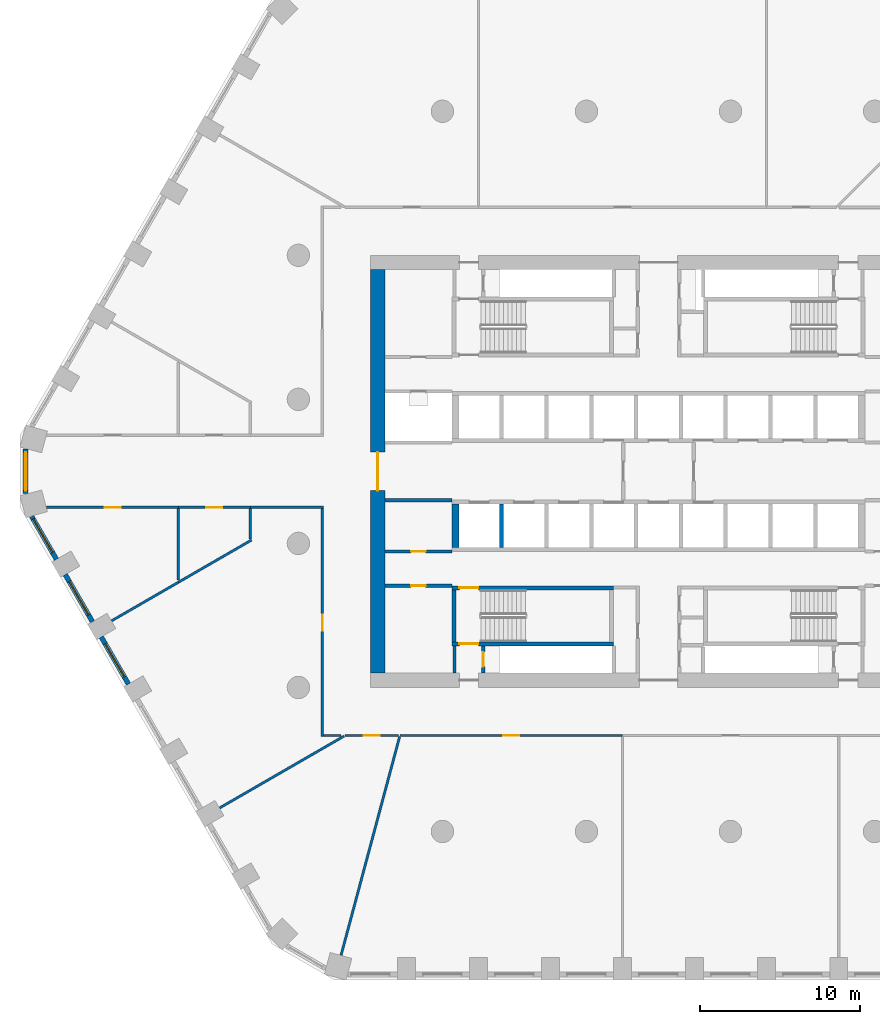
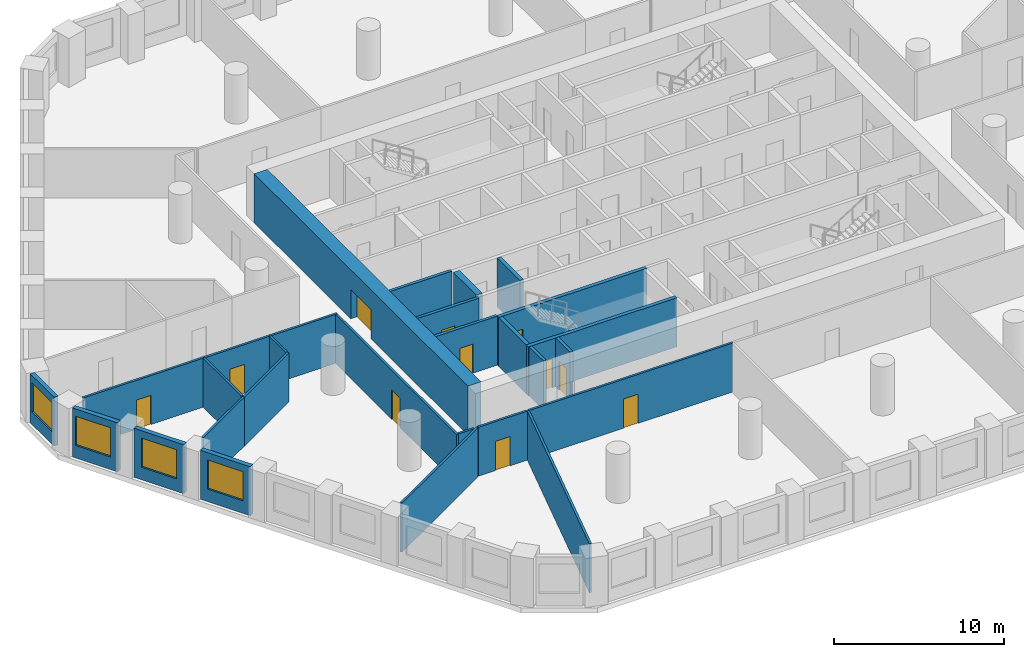
# One storey, part 2 of 10: 28 walls, 11 doors, 4 windows, 15 openings.
"""IFC4 building model written with IfcOpenShell, lengths in metres."""

import ifcopenshell
import ifcopenshell.guid

model = None  # the IFC model being written
_history = None  # IfcOwnerHistory: only IFC2X3 demands one
_inside = {}  # id of a spatial element -> (the spatial element, [elements in it])
_under = {}  # id of a project, library or spatial element -> (it, [spatial elements below it])
_declared = {}  # id of a project -> (the project, [libraries it declares])
_typed = {}  # id of a type object -> (the type object, [elements of that type])
_made_of = {}  # id of a material, layer set ... -> (it, [elements and type objects made of it])


def new_model(schema):
    """Start an empty IFC model of exactly this schema.

    Asked for "IFC4X3", IfcOpenShell would pick the latest addendum, in which some entities
    have other attributes; the version numbers below select the first issue.
    IFC2X3 requires an IfcOwnerHistory on every rooted entity: one is made here for all.
    """
    global model, _history
    if schema == "IFC4X3":
        model = ifcopenshell.file(schema_version=(4, 3, 0, 0))
    else:
        model = ifcopenshell.file(schema=schema)
    _inside.clear()
    _under.clear()
    _declared.clear()
    _typed.clear()
    _made_of.clear()
    _history = None
    if model.schema == "IFC2X3":
        org = make("IfcOrganization", Name="unknown")
        user = make(
            "IfcPersonAndOrganization",
            ThePerson=make("IfcPerson", FamilyName="unknown"),
            TheOrganization=org,
        )
        app = make(
            "IfcApplication",
            ApplicationDeveloper=org,
            Version="unknown",
            ApplicationFullName="unknown",
            ApplicationIdentifier="unknown",
        )
        _history = make(
            "IfcOwnerHistory",
            OwningUser=user,
            OwningApplication=app,
            ChangeAction="ADDED",
            CreationDate=0,
        )
    return model


def make(cls, **values):
    """One entity of the class cls with the attributes given. An attribute that is None is left unset."""
    return model.create_entity(
        cls, **{name: value for name, value in values.items() if value is not None}
    )


def rooted(cls, **values):
    """An entity with a GlobalId (a new one), such as an element, a storey or a relation."""
    return make(cls, GlobalId=ifcopenshell.guid.new(), OwnerHistory=_history, **values)


def si_unit(unit_type, name, prefix=None):
    """IfcSIUnit, for example si_unit("LENGTHUNIT", "METRE", prefix="MILLI")."""
    return make("IfcSIUnit", UnitType=unit_type, Prefix=prefix, Name=name)


def assignment(units):
    """IfcUnitAssignment: the units of a project."""
    return None if units is None else make("IfcUnitAssignment", Units=units)


def point(xyz):
    """IfcCartesianPoint."""
    return None if xyz is None else make("IfcCartesianPoint", Coordinates=xyz)


def direction(xyz):
    """IfcDirection."""
    return None if xyz is None else make("IfcDirection", DirectionRatios=xyz)


def frame(location, z_axis=None, x_axis=None):
    """IfcAxis2Placement3D, a coordinate frame: its origin and axes. An axis left out is left unset."""
    return make(
        "IfcAxis2Placement3D",
        Location=point(location),
        Axis=direction(z_axis),
        RefDirection=direction(x_axis),
    )


def frame_2d(location, x_axis=None):
    """IfcAxis2Placement2D, a coordinate frame in the plane: its origin and x axis."""
    return make(
        "IfcAxis2Placement2D", Location=point(location), RefDirection=direction(x_axis)
    )


def origin():
    """The frame at (0, 0, 0) with its axes left unset."""
    return frame((0.0, 0.0, 0.0))


def place(relative_to, where):
    """IfcLocalPlacement: puts the frame where relative to a parent placement (None: the world)."""
    return make(
        "IfcLocalPlacement", PlacementRelTo=relative_to, RelativePlacement=where
    )


def context(
    kind, dimensions, precision=None, world=None, true_north=None, identifier=None
):
    """IfcGeometricRepresentationContext, for example the 3D "Model" context."""
    return make(
        "IfcGeometricRepresentationContext",
        ContextIdentifier=identifier,
        ContextType=kind,
        CoordinateSpaceDimension=dimensions,
        Precision=precision,
        WorldCoordinateSystem=world,
        TrueNorth=true_north,
    )


def subcontext(parent, identifier, kind, view, scale=None):
    """IfcGeometricRepresentationSubContext, for example "Body" below "Model"."""
    return make(
        "IfcGeometricRepresentationSubContext",
        ContextIdentifier=identifier,
        ContextType=kind,
        ParentContext=parent,
        TargetScale=scale,
        TargetView=view,
    )


def project(units=None, contexts=None):
    """IfcProject with its units and contexts."""
    return rooted(
        "IfcProject",
        Name="project",
        RepresentationContexts=contexts,
        UnitsInContext=assignment(units),
    )


def spatial(cls, under=None, at=None, **own):
    """A site, building, storey or space (cls), placed at a placement, below another one or the project."""
    s = rooted(cls, ObjectPlacement=at, **own)
    if under is not None:
        _under.setdefault(under.id(), (under, []))[1].append(s)
    return s


def polyline(points):
    """IfcPolyline through the points."""
    return make("IfcPolyline", Points=[point(p) for p in points])


def profile(cls, at=None, kind="AREA", **sizes):
    """A parametric profile (cls). Its sizes go by their IFC names, for example OverallWidth=200.0."""
    return make(cls, ProfileType=kind, Position=at, **sizes)


def rectangle(**sizes):
    """IfcRectangleProfileDef."""
    return profile("IfcRectangleProfileDef", **sizes)


def outline(outer, holes=None, kind="AREA"):
    """IfcArbitraryClosedProfileDef: a profile drawn as a closed curve; with holes, ...WithVoids."""
    if holes is None:
        return make("IfcArbitraryClosedProfileDef", ProfileType=kind, OuterCurve=outer)
    return make(
        "IfcArbitraryProfileDefWithVoids",
        ProfileType=kind,
        OuterCurve=outer,
        InnerCurves=holes,
    )


def extrude(swept, where, along, depth):
    """IfcExtrudedAreaSolid: the profile swept, set in the frame where, extruded along a direction by depth."""
    return make(
        "IfcExtrudedAreaSolid",
        SweptArea=swept,
        Position=where,
        ExtrudedDirection=direction(along),
        Depth=depth,
    )


def shape(context_of_items, identifier, shape_type, items):
    """IfcShapeRepresentation: the items that make up one representation, for example the "Body"."""
    return make(
        "IfcShapeRepresentation",
        ContextOfItems=context_of_items,
        RepresentationIdentifier=identifier,
        RepresentationType=shape_type,
        Items=items,
    )


def material(Name=None, Category=None):
    """IfcMaterial."""
    return make("IfcMaterial", Name=Name, Category=Category)


def layer(
    of_material, thickness, ventilated=None, Name=None, Category=None, Priority=None
):
    """IfcMaterialLayer: one layer of a wall or slab, of a material (None: an air gap)."""
    return make(
        "IfcMaterialLayer",
        Material=of_material,
        LayerThickness=thickness,
        IsVentilated=ventilated,
        Name=Name,
        Category=Category,
        Priority=Priority,
    )


def layer_set(layers, Name=None):
    """IfcMaterialLayerSet."""
    return make("IfcMaterialLayerSet", MaterialLayers=layers, LayerSetName=Name)


def made_of(thing, what):
    """Note that an element or type object is made of a material, layer set ...; save() writes the relation."""
    if what is not None:
        _made_of.setdefault(what.id(), (what, []))[1].append(thing)
    return thing


def type_object(cls, material=None, **own):
    """A type object (cls), such as IfcWallType, which elements share."""
    return made_of(rooted(cls, **own), material)


def element(
    cls,
    number,
    at=None,
    inside=None,
    cuts=None,
    type_object=None,
    material=None,
    context=None,
    identifier="Body",
    shape_type=None,
    held_by="IfcProductDefinitionShape",
    body=None,
    shapes=None,
    **own,
):
    """One element of the class cls, such as IfcWall. Its Tag is "e" and its number.

    at: its placement. inside: the storey or other place that contains it. cuts: it is an
    opening in that element (IfcRelVoidsElement). A single representation is given by context,
    identifier, shape_type and body (its items); several are given by shapes. held_by: the class
    of the entity that holds the representations. save() writes the other relations.
    """
    e = rooted(cls, Tag="e%d" % number, ObjectPlacement=at, **own)
    if body is not None:
        shapes = [shape(context, identifier, shape_type, body)]
    if shapes is not None:
        e.Representation = make(held_by, Representations=shapes)
    if inside is not None:
        _inside.setdefault(inside.id(), (inside, []))[1].append(e)
    if cuts is not None:
        rooted(
            "IfcRelVoidsElement", RelatingBuildingElement=cuts, RelatedOpeningElement=e
        )
    if type_object is not None:
        _typed.setdefault(type_object.id(), (type_object, []))[1].append(e)
    return made_of(e, material)


def fill(opening, filler):
    """IfcRelFillsElement: the door or window that sits in an opening."""
    return rooted(
        "IfcRelFillsElement",
        RelatingOpeningElement=opening,
        RelatedBuildingElement=filler,
    )


def aggregate(whole, parts):
    """IfcRelAggregates: a whole, such as a stair, and the parts it consists of."""
    return rooted("IfcRelAggregates", RelatingObject=whole, RelatedObjects=parts)


def save(model, path):
    """Write the relations noted so far, then the file.

    IfcRelAggregates (storeys below a building ...), IfcRelContainedInSpatialStructure (elements
    in a storey), IfcRelDefinesByType, IfcRelAssociatesMaterial and IfcRelDeclares: one each for
    every whole, place, type object, material and project.
    """
    for whole, parts in _under.values():
        aggregate(whole, parts)
    for where, things in _inside.values():
        rooted(
            "IfcRelContainedInSpatialStructure",
            RelatedElements=things,
            RelatingStructure=where,
        )
    for kind, things in _typed.values():
        rooted("IfcRelDefinesByType", RelatedObjects=things, RelatingType=kind)
    for what, things in _made_of.values():
        rooted("IfcRelAssociatesMaterial", RelatedObjects=things, RelatingMaterial=what)
    for by, libraries in _declared.values():
        rooted("IfcRelDeclares", RelatingContext=by, RelatedDefinitions=libraries)
    model.write(path)


model = new_model("IFC4")

# Units and contexts
model_context = context("Model", 3, precision=1e-05, world=origin(), true_north=direction((0.0, 1.0)))
body_context = subcontext(model_context, "Body", "Model", "MODEL_VIEW")
ifc_project = project(units=[si_unit("LENGTHUNIT", "METRE"), si_unit("AREAUNIT", "SQUARE_METRE"), si_unit("VOLUMEUNIT", "CUBIC_METRE"), si_unit("PLANEANGLEUNIT", "RADIAN"), si_unit("MASSUNIT", "GRAM", prefix="KILO")], contexts=[model_context])

# Site, building, storey
site_placement = place(None, origin())
site = spatial("IfcSite", under=ifc_project, at=site_placement, CompositionType="ELEMENT")
building_placement = place(site_placement, origin())
building = spatial("IfcBuilding", under=site, at=building_placement, Name="Dhurran Vertical Campus", CompositionType="ELEMENT")
storey_placement = place(building_placement, frame((0.0, 0.0, 33.89990234375)))
storey = spatial("IfcBuildingStorey", under=building, at=storey_placement, Name="L07", CompositionType="ELEMENT", Elevation=33.89990234375)

# Wall, opening, window
ifc_material_1 = material(Name="Precast concrete C50/60", Category="concrete")
ifc_layer_1 = layer(ifc_material_1, 0.300048828125)
ifc_layer_set_1 = layer_set([ifc_layer_1], Name="Precast concrete C50/60")
wall_type_1 = type_object("IfcWallType", Name="Precast spandrel wall 300", PredefinedType="SOLIDWALL", material=ifc_layer_set_1)
wall_1_placement = place(storey_placement, frame((-39.547119140625, 1.39111328125, 0.0), z_axis=(0.0, 0.0, 1.0), x_axis=(0.0, -1.0, 0.0)))
wall_1 = element("IfcWall", 1, at=wall_1_placement, inside=storey, type_object=wall_type_1, Name="EW1 L07.43", PredefinedType="SOLIDWALL", context=body_context, shape_type="SweptSolid", body=[
    extrude(rectangle(XDim=2.7822265625, YDim=0.300048828125, at=frame_2d((1.39111328125, 0.0))), origin(), (0.0, 0.0, 1.0), 3.525146484375),
])
opening_1_placement = place(wall_1_placement, frame((0.191162109375, 0.0, 0.89990234375)))
opening_1 = element("IfcOpeningElement", 2, at=opening_1_placement, cuts=wall_1, Name="Opening WT1", PredefinedType="OPENING", context=body_context, shape_type="SweptSolid", body=[
    extrude(rectangle(XDim=2.39990234375, YDim=2.10009765625, at=frame_2d((1.199951171875, 1.050048828125))), frame((0.0, 0.159912109375, 0.0), z_axis=(0.0, -1.0, 0.0), x_axis=(1.0, 0.0, 0.0)), (0.0, 0.0, 1.0), 0.320068359375),
])
ifc_material_2 = material(Name="Aluminium frame with solar-control glass", Category="aluminium")
window_type = type_object("IfcWindowType", Name="Punched window 2400 x 2100", PartitioningType="SINGLE_PANEL", PredefinedType="WINDOW", material=ifc_material_2)
window_1_placement = place(opening_1_placement, origin())
window_1 = element("IfcWindow", 3, at=window_1_placement, inside=storey, type_object=window_type, Name="WT1 L07.43", OverallHeight=2.10009765625, OverallWidth=2.39990234375, PartitioningType="SINGLE_PANEL", PredefinedType="WINDOW", context=body_context, shape_type="SweptSolid", body=[
    extrude(rectangle(XDim=2.39990234375, YDim=2.10009765625, at=frame_2d((1.199951171875, 1.050048828125))), frame((0.0, 0.030029296875, 0.0), z_axis=(0.0, -1.0, 0.0), x_axis=(1.0, 0.0, 0.0)), (0.0, 0.0, 1.0), 0.06005859375),
])
fill(opening_1, window_1)

wall_2_placement = place(storey_placement, frame((-39.16455078125, -2.81884765625, 0.0), z_axis=(0.0, 0.0, 1.0), x_axis=(0.49997090907, -0.866042198789, 0.0)))
wall_2 = element("IfcWall", 4, at=wall_2_placement, inside=storey, type_object=wall_type_1, Name="EW1 L07.44", PredefinedType="SOLIDWALL", context=body_context, shape_type="SweptSolid", body=[
    extrude(rectangle(XDim=3.090576171875, YDim=0.300048828125, at=frame_2d((1.54541015625, 0.0))), origin(), (0.0, 0.0, 1.0), 3.525146484375),
])
opening_2_placement = place(wall_2_placement, frame((0.19091796875, 0.0, 0.89990234375)))
opening_2 = element("IfcOpeningElement", 5, at=opening_2_placement, cuts=wall_2, Name="Opening WT1", PredefinedType="OPENING", context=body_context, shape_type="SweptSolid", body=[
    extrude(rectangle(XDim=2.39990234375, YDim=2.10009765625, at=frame_2d((1.199951171875, 1.050048828125))), frame((0.0, 0.159912109375, 0.0), z_axis=(0.0, -1.0, 0.0), x_axis=(1.0, 0.0, 0.0)), (0.0, 0.0, 1.0), 0.320068359375),
])
window_2_placement = place(opening_2_placement, origin())
window_2 = element("IfcWindow", 6, at=window_2_placement, inside=storey, type_object=window_type, Name="WT1 L07.44", OverallHeight=2.10009765625, OverallWidth=2.39990234375, PartitioningType="SINGLE_PANEL", PredefinedType="WINDOW", context=body_context, shape_type="SweptSolid", body=[
    extrude(rectangle(XDim=2.39990234375, YDim=2.10009765625, at=frame_2d((1.199951171875, 1.050048828125))), frame((0.0, 0.030029296875, 0.0), z_axis=(0.0, -1.0, 0.0), x_axis=(1.0, 0.0, 0.0)), (0.0, 0.0, 1.0), 0.06005859375),
])
fill(opening_2, window_2)

wall_3_placement = place(storey_placement, frame((-37.06884765625, -6.448974609375, 0.0), z_axis=(0.0, 0.0, 1.0), x_axis=(0.499993955907, -0.866028893315, 0.0)))
wall_3 = element("IfcWall", 7, at=wall_3_placement, inside=storey, type_object=wall_type_1, Name="EW1 L07.45", PredefinedType="SOLIDWALL", context=body_context, shape_type="SweptSolid", body=[
    extrude(rectangle(XDim=3.39892578125, YDim=0.300048828125, at=frame_2d((1.699462890625, 0.0))), origin(), (0.0, 0.0, 1.0), 3.525146484375),
])
opening_3_placement = place(wall_3_placement, frame((0.49951171875, 0.0, 0.89990234375)))
opening_3 = element("IfcOpeningElement", 8, at=opening_3_placement, cuts=wall_3, Name="Opening WT1", PredefinedType="OPENING", context=body_context, shape_type="SweptSolid", body=[
    extrude(rectangle(XDim=2.39990234375, YDim=2.10009765625, at=frame_2d((1.199951171875, 1.050048828125))), frame((0.0, 0.159912109375, 0.0), z_axis=(0.0, -1.0, 0.0), x_axis=(1.0, 0.0, 0.0)), (0.0, 0.0, 1.0), 0.320068359375),
])
window_3_placement = place(opening_3_placement, origin())
window_3 = element("IfcWindow", 9, at=window_3_placement, inside=storey, type_object=window_type, Name="WT1 L07.45", OverallHeight=2.10009765625, OverallWidth=2.39990234375, PartitioningType="SINGLE_PANEL", PredefinedType="WINDOW", context=body_context, shape_type="SweptSolid", body=[
    extrude(rectangle(XDim=2.39990234375, YDim=2.10009765625, at=frame_2d((1.199951171875, 1.050048828125))), frame((0.0, 0.030029296875, 0.0), z_axis=(0.0, -1.0, 0.0), x_axis=(1.0, 0.0, 0.0)), (0.0, 0.0, 1.0), 0.06005859375),
])
fill(opening_3, window_3)

wall_4_placement = place(storey_placement, frame((-34.81884765625, -10.345947265625, 0.0), z_axis=(0.0, 0.0, 1.0), x_axis=(0.499993955907, -0.866028893315, 0.0)))
wall_4 = element("IfcWall", 10, at=wall_4_placement, inside=storey, type_object=wall_type_1, Name="EW1 L07.46", PredefinedType="SOLIDWALL", context=body_context, shape_type="SweptSolid", body=[
    extrude(rectangle(XDim=3.39892578125, YDim=0.300048828125, at=frame_2d((1.699462890625, 0.0))), origin(), (0.0, 0.0, 1.0), 3.525146484375),
])
opening_4_placement = place(wall_4_placement, frame((0.49951171875, 0.0, 0.89990234375)))
opening_4 = element("IfcOpeningElement", 11, at=opening_4_placement, cuts=wall_4, Name="Opening WT1", PredefinedType="OPENING", context=body_context, shape_type="SweptSolid", body=[
    extrude(rectangle(XDim=2.39990234375, YDim=2.10009765625, at=frame_2d((1.199951171875, 1.050048828125))), frame((0.0, 0.159912109375, 0.0), z_axis=(0.0, -1.0, 0.0), x_axis=(1.0, 0.0, 0.0)), (0.0, 0.0, 1.0), 0.320068359375),
])
window_4_placement = place(opening_4_placement, origin())
window_4 = element("IfcWindow", 12, at=window_4_placement, inside=storey, type_object=window_type, Name="WT1 L07.46", OverallHeight=2.10009765625, OverallWidth=2.39990234375, PartitioningType="SINGLE_PANEL", PredefinedType="WINDOW", context=body_context, shape_type="SweptSolid", body=[
    extrude(rectangle(XDim=2.39990234375, YDim=2.10009765625, at=frame_2d((1.199951171875, 1.050048828125))), frame((0.0, 0.030029296875, 0.0), z_axis=(0.0, -1.0, 0.0), x_axis=(1.0, 0.0, 0.0)), (0.0, 0.0, 1.0), 0.06005859375),
])
fill(opening_4, window_4)

# Wall, opening, door
ifc_material_3 = material(Name="Concrete C60/75", Category="concrete")
ifc_layer_2 = layer(ifc_material_3, 0.89990234375)
ifc_layer_set_2 = layer_set([ifc_layer_2], Name="Concrete C60/75")
wall_type_2 = type_object("IfcWallType", Name="co-CORE-WALL-C0-900", PredefinedType="SHEAR", material=ifc_layer_set_2)
wall_5_placement = place(storey_placement, frame((-17.550048828125, -12.60009765625, 0.0), z_axis=(0.0, 0.0, 1.0), x_axis=(0.0, 1.0, 0.0)))
wall_5 = element("IfcWall", 13, at=wall_5_placement, inside=storey, type_object=wall_type_2, Name="Core wall W L07", PredefinedType="SHEAR", context=body_context, shape_type="SweptSolid", body=[
    extrude(rectangle(XDim=25.2001953125, YDim=0.89990234375, at=frame_2d((12.60009765625, 0.0))), origin(), (0.0, 0.0, 1.0), 3.525146484375),
])
opening_5_placement = place(wall_5_placement, frame((11.39990234375, 0.0, 0.0)))
opening_5 = element("IfcOpeningElement", 14, at=opening_5_placement, cuts=wall_5, Name="Opening CL1", PredefinedType="OPENING", context=body_context, shape_type="SweptSolid", body=[
    extrude(rectangle(XDim=2.39990234375, YDim=2.10009765625, at=frame_2d((1.199951171875, 1.050048828125))), frame((0.0, 0.4599609375, 0.0), z_axis=(0.0, -1.0, 0.0), x_axis=(1.0, 0.0, 0.0)), (0.0, 0.0, 1.0), 0.919921875),
])
ifc_material_4 = material(Name="Fire-rated glazed door set")
door_type_1 = type_object("IfcDoorType", Name="co-D-LOBBY 2400x2100", OperationType="DOUBLE_DOOR_DOUBLE_SWING", PredefinedType="DOOR", material=ifc_material_4)
door_1_placement = place(opening_5_placement, origin())
door_1 = element("IfcDoor", 15, at=door_1_placement, inside=storey, type_object=door_type_1, Name="Lift lobby door W L07", OperationType="DOUBLE_DOOR_DOUBLE_SWING", OverallHeight=2.10009765625, OverallWidth=2.39990234375, PredefinedType="DOOR", context=body_context, shape_type="SweptSolid", body=[
    extrude(rectangle(XDim=2.39990234375, YDim=2.10009765625, at=frame_2d((1.199951171875, 1.050048828125))), frame((0.0, 0.02490234375, 0.0), z_axis=(0.0, -1.0, 0.0), x_axis=(1.0, 0.0, 0.0)), (0.0, 0.0, 1.0), 0.050048828125),
])
fill(opening_5, door_1)

# Wall
ifc_material_5 = material(Name="Fire-rated masonry blockwork", Category="masonry")
ifc_layer_3 = layer(ifc_material_5, 0.199951171875)
ifc_layer_set_3 = layer_set([ifc_layer_3], Name="Fire-rated masonry blockwork")
wall_type_3 = type_object("IfcWallType", Name="co-FIRE-PARTITION-200", PredefinedType="PARTITIONING", material=ifc_layer_set_3)
wall_6_placement = place(storey_placement, frame((-12.75, -12.60009765625, 0.0), z_axis=(0.0, 0.0, 1.0), x_axis=(0.0, 1.0, 0.0)))
element("IfcWall", 16, at=wall_6_placement, inside=storey, type_object=wall_type_3, Name="Core partition pass-ST3-o L07", PredefinedType="PARTITIONING", context=body_context, shape_type="SweptSolid", body=[
    extrude(rectangle(XDim=1.7001953125, YDim=0.199951171875, at=frame_2d((0.85009765625, 0.0))), origin(), (0.0, 0.0, 1.0), 3.525146484375),
])

# Wall, opening, door
wall_7_placement = place(storey_placement, frame((-10.949951171875, -12.60009765625, 0.0), z_axis=(0.0, 0.0, 1.0), x_axis=(0.0, 1.0, 0.0)))
wall_7 = element("IfcWall", 17, at=wall_7_placement, inside=storey, type_object=wall_type_3, Name="Core partition pass-ST3-i L07", PredefinedType="PARTITIONING", context=body_context, shape_type="SweptSolid", body=[
    extrude(rectangle(XDim=1.7001953125, YDim=0.199951171875, at=frame_2d((0.85009765625, 0.0))), origin(), (0.0, 0.0, 1.0), 3.525146484375),
])
opening_6_placement = place(wall_7_placement, frame((0.39990234375, 0.0, 0.0)))
opening_6 = element("IfcOpeningElement", 18, at=opening_6_placement, cuts=wall_7, Name="Opening T01-C11", PredefinedType="OPENING", context=body_context, shape_type="SweptSolid", body=[
    extrude(rectangle(XDim=0.89990234375, YDim=2.10009765625, at=frame_2d((0.449951171875, 1.050048828125))), frame((0.0, 0.10986328125, 0.0), z_axis=(0.0, -1.0, 0.0), x_axis=(1.0, 0.0, 0.0)), (0.0, 0.0, 1.0), 0.219970703125),
])
ifc_material_6 = material(Name="Fire-rated timber door set", Category="wood")
door_type_2 = type_object("IfcDoorType", Name="co-D-ROOM 900x2100", OperationType="SINGLE_SWING_LEFT", PredefinedType="DOOR", material=ifc_material_6)
door_2_placement = place(opening_6_placement, origin())
door_2 = element("IfcDoor", 19, at=door_2_placement, inside=storey, type_object=door_type_2, Name="Riser room door L07", OperationType="SINGLE_SWING_LEFT", OverallHeight=2.10009765625, OverallWidth=0.89990234375, PredefinedType="DOOR", context=body_context, shape_type="SweptSolid", body=[
    extrude(rectangle(XDim=0.89990234375, YDim=2.10009765625, at=frame_2d((0.449951171875, 1.050048828125))), frame((0.0, 0.02490234375, 0.0), z_axis=(0.0, -1.0, 0.0), x_axis=(1.0, 0.0, 0.0)), (0.0, 0.0, 1.0), 0.050048828125),
])
fill(opening_6, door_2)

wall_8_placement = place(storey_placement, frame((-17.10009765625, -7.14990234375, 0.0), z_axis=(0.0, 0.0, 1.0), x_axis=(1.0, 0.0, 0.0)))
wall_8 = element("IfcWall", 20, at=wall_8_placement, inside=storey, type_object=wall_type_3, Name="Core partition en-SW-w L07", PredefinedType="PARTITIONING", context=body_context, shape_type="SweptSolid", body=[
    extrude(rectangle(XDim=4.2001953125, YDim=0.199951171875, at=frame_2d((2.10009765625, 0.0))), origin(), (0.0, 0.0, 1.0), 3.525146484375),
])
opening_7_placement = place(wall_8_placement, frame((1.64990234375, 0.0, 0.0)))
opening_7 = element("IfcOpeningElement", 21, at=opening_7_placement, cuts=wall_8, Name="Opening T01-C17", PredefinedType="OPENING", context=body_context, shape_type="SweptSolid", body=[
    extrude(rectangle(XDim=0.89990234375, YDim=2.10009765625, at=frame_2d((0.449951171875, 1.050048828125))), frame((0.0, 0.10986328125, 0.0), z_axis=(0.0, -1.0, 0.0), x_axis=(1.0, 0.0, 0.0)), (0.0, 0.0, 1.0), 0.219970703125),
])
door_3_placement = place(opening_7_placement, origin())
door_3 = element("IfcDoor", 22, at=door_3_placement, inside=storey, type_object=door_type_2, Name="Cleaner's store door L07", OperationType="SINGLE_SWING_LEFT", OverallHeight=2.10009765625, OverallWidth=0.89990234375, PredefinedType="DOOR", context=body_context, shape_type="SweptSolid", body=[
    extrude(rectangle(XDim=0.89990234375, YDim=2.10009765625, at=frame_2d((0.449951171875, 1.050048828125))), frame((0.0, 0.02490234375, 0.0), z_axis=(0.0, -1.0, 0.0), x_axis=(1.0, 0.0, 0.0)), (0.0, 0.0, 1.0), 0.050048828125),
])
fill(opening_7, door_3)

wall_9_placement = place(storey_placement, frame((-17.10009765625, -5.0, 0.0), z_axis=(0.0, 0.0, 1.0), x_axis=(1.0, 0.0, 0.0)))
wall_9 = element("IfcWall", 23, at=wall_9_placement, inside=storey, type_object=wall_type_3, Name="Core partition es-SW-w L07", PredefinedType="PARTITIONING", context=body_context, shape_type="SweptSolid", body=[
    extrude(rectangle(XDim=4.2001953125, YDim=0.199951171875, at=frame_2d((2.10009765625, 0.0))), origin(), (0.0, 0.0, 1.0), 3.525146484375),
])
opening_8_placement = place(wall_9_placement, frame((1.64990234375, 0.0, 0.0)))
opening_8 = element("IfcOpeningElement", 24, at=opening_8_placement, cuts=wall_9, Name="Opening T01-C18", PredefinedType="OPENING", context=body_context, shape_type="SweptSolid", body=[
    extrude(rectangle(XDim=0.89990234375, YDim=2.10009765625, at=frame_2d((0.449951171875, 1.050048828125))), frame((0.0, 0.10986328125, 0.0), z_axis=(0.0, -1.0, 0.0), x_axis=(1.0, 0.0, 0.0)), (0.0, 0.0, 1.0), 0.219970703125),
])
door_4_placement = place(opening_8_placement, origin())
door_4 = element("IfcDoor", 25, at=door_4_placement, inside=storey, type_object=door_type_2, Name="Server room door L07", OperationType="SINGLE_SWING_LEFT", OverallHeight=2.10009765625, OverallWidth=0.89990234375, PredefinedType="DOOR", context=body_context, shape_type="SweptSolid", body=[
    extrude(rectangle(XDim=0.89990234375, YDim=2.10009765625, at=frame_2d((0.449951171875, 1.050048828125))), frame((0.0, 0.02490234375, 0.0), z_axis=(0.0, -1.0, 0.0), x_axis=(1.0, 0.0, 0.0)), (0.0, 0.0, 1.0), 0.050048828125),
])
fill(opening_8, door_4)

# Walls
wall_10_placement = place(storey_placement, frame((-17.10009765625, -1.800048828125, 0.0), z_axis=(0.0, 0.0, 1.0), x_axis=(1.0, 0.0, 0.0)))
element("IfcWall", 26, at=wall_10_placement, inside=storey, type_object=wall_type_3, Name="Core partition es-SW-l L07", PredefinedType="PARTITIONING", context=body_context, shape_type="SweptSolid", body=[
    extrude(rectangle(XDim=4.2001953125, YDim=0.199951171875, at=frame_2d((2.10009765625, 0.0))), origin(), (0.0, 0.0, 1.0), 3.525146484375),
])
ifc_material_7 = material(Name="Concrete C50/60", Category="concrete")
ifc_layer_4 = layer(ifc_material_7, 0.25)
ifc_layer_set_4 = layer_set([ifc_layer_4], Name="Concrete C50/60")
wall_type_4 = type_object("IfcWallType", Name="co-SHAFT-MASS-250", PredefinedType="SHEAR", material=ifc_layer_set_4)
wall_11_placement = place(storey_placement, origin())
element("IfcWall", 27, at=wall_11_placement, inside=storey, type_object=wall_type_4, Name="Lift shaft wall S L07 2", PredefinedType="SHEAR", context=body_context, shape_type="SweptSolid", body=[
    extrude(outline(polyline([(-12.89990234375, -4.75), (-12.47509765625, -4.75), (-12.47509765625, -2.050048828125), (-12.89990234375, -2.050048828125), (-12.89990234375, -4.75)])), origin(), (0.0, 0.0, 1.0), 3.525146484375),
])
wall_12_placement = place(storey_placement, origin())
element("IfcWall", 28, at=wall_12_placement, inside=storey, type_object=wall_type_4, Name="Lift shaft wall S L07 3", PredefinedType="SHEAR", context=body_context, shape_type="SweptSolid", body=[
    extrude(outline(polyline([(-9.925048828125, -4.75), (-9.675048828125, -4.75), (-9.675048828125, -2.050048828125), (-9.925048828125, -2.050048828125), (-9.925048828125, -4.75)])), origin(), (0.0, 0.0, 1.0), 3.525146484375),
])

# Wall, opening, door
ifc_material_8 = material(Name="Concrete C40/50", Category="concrete")
ifc_layer_5 = layer(ifc_material_8, 0.25)
ifc_layer_set_5 = layer_set([ifc_layer_5], Name="Concrete C40/50")
wall_type_5 = type_object("IfcWallType", Name="co-STAIR-WALL-250", PredefinedType="SHEAR", material=ifc_layer_set_5)
wall_13_placement = place(storey_placement, frame((-12.89990234375, -10.77490234375, 0.0), z_axis=(0.0, 0.0, 1.0), x_axis=(1.0, 0.0, 0.0)))
wall_13 = element("IfcWall", 29, at=wall_13_placement, inside=storey, type_object=wall_type_5, Name="Stair ST3 enclosure wall L07", PredefinedType="SHEAR", context=body_context, shape_type="SweptSolid", body=[
    extrude(rectangle(XDim=10.099853515625, YDim=0.25, at=frame_2d((5.0498046875, 0.0))), origin(), (0.0, 0.0, 1.0), 3.525146484375),
])
opening_9_placement = place(wall_13_placement, frame((0.449951171875, 0.0, 0.0)))
opening_9 = element("IfcOpeningElement", 30, at=opening_9_placement, cuts=wall_13, Name="Opening XS3", PredefinedType="OPENING", context=body_context, shape_type="SweptSolid", body=[
    extrude(rectangle(XDim=1.199951171875, YDim=2.10009765625, at=frame_2d((0.60009765625, 1.050048828125))), frame((0.0, 0.135009765625, 0.0), z_axis=(0.0, -1.0, 0.0), x_axis=(1.0, 0.0, 0.0)), (0.0, 0.0, 1.0), 0.27001953125),
])
ifc_material_9 = material(Name="Fire-rated steel door set", Category="steel")
door_type_3 = type_object("IfcDoorType", Name="co-D-STAIR-EXIT 1200x2100", OperationType="SINGLE_SWING_RIGHT", PredefinedType="DOOR", material=ifc_material_9)
door_5_placement = place(opening_9_placement, origin())
door_5 = element("IfcDoor", 31, at=door_5_placement, inside=storey, type_object=door_type_3, Name="Stair ST3 discharge door L07", OperationType="SINGLE_SWING_RIGHT", OverallHeight=2.10009765625, OverallWidth=1.199951171875, PredefinedType="DOOR", context=body_context, shape_type="SweptSolid", body=[
    extrude(rectangle(XDim=1.199951171875, YDim=2.10009765625, at=frame_2d((0.60009765625, 1.050048828125))), frame((0.0, 0.02490234375, 0.0), z_axis=(0.0, -1.0, 0.0), x_axis=(1.0, 0.0, 0.0)), (0.0, 0.0, 1.0), 0.050048828125),
])
fill(opening_9, door_5)

wall_14_placement = place(storey_placement, frame((-12.89990234375, -7.27490234375, 0.0), z_axis=(0.0, 0.0, 1.0), x_axis=(1.0, 0.0, 0.0)))
wall_14 = element("IfcWall", 32, at=wall_14_placement, inside=storey, type_object=wall_type_5, Name="Stair ST3 enclosure wall L07", PredefinedType="SHEAR", context=body_context, shape_type="SweptSolid", body=[
    extrude(rectangle(XDim=10.099853515625, YDim=0.25, at=frame_2d((5.0498046875, 0.0))), origin(), (0.0, 0.0, 1.0), 3.525146484375),
])
opening_10_placement = place(wall_14_placement, frame((0.449951171875, 0.0, 0.0)))
opening_10 = element("IfcOpeningElement", 33, at=opening_10_placement, cuts=wall_14, Name="Opening SD3", PredefinedType="OPENING", context=body_context, shape_type="SweptSolid", body=[
    extrude(rectangle(XDim=1.199951171875, YDim=2.10009765625, at=frame_2d((0.60009765625, 1.050048828125))), frame((0.0, 0.135009765625, 0.0), z_axis=(0.0, -1.0, 0.0), x_axis=(1.0, 0.0, 0.0)), (0.0, 0.0, 1.0), 0.27001953125),
])
ifc_material_10 = material(Name="Fire-rated steel door set", Category="steel")
door_type_4 = type_object("IfcDoorType", Name="co-D-STAIR 1200x2100", OperationType="SINGLE_SWING_LEFT", PredefinedType="DOOR", material=ifc_material_10)
door_6_placement = place(opening_10_placement, origin())
door_6 = element("IfcDoor", 34, at=door_6_placement, inside=storey, type_object=door_type_4, Name="Stair ST3 door L07", OperationType="SINGLE_SWING_LEFT", OverallHeight=2.10009765625, OverallWidth=1.199951171875, PredefinedType="DOOR", context=body_context, shape_type="SweptSolid", body=[
    extrude(rectangle(XDim=1.199951171875, YDim=2.10009765625, at=frame_2d((0.60009765625, 1.050048828125))), frame((0.0, 0.02490234375, 0.0), z_axis=(0.0, -1.0, 0.0), x_axis=(1.0, 0.0, 0.0)), (0.0, 0.0, 1.0), 0.050048828125),
])
fill(opening_10, door_6)

# Wall
wall_15_placement = place(storey_placement, frame((-12.77490234375, -10.64990234375, 0.0), z_axis=(0.0, 0.0, 1.0), x_axis=(0.0, 1.0, 0.0)))
element("IfcWall", 35, at=wall_15_placement, inside=storey, type_object=wall_type_5, Name="Stair ST3 enclosure wall L07", PredefinedType="SHEAR", context=body_context, shape_type="SweptSolid", body=[
    extrude(rectangle(XDim=3.25, YDim=0.25, at=frame_2d((1.625, 0.0))), origin(), (0.0, 0.0, 1.0), 3.525146484375),
])

# Wall, opening, door
ifc_material_11 = material(Name="Gypsum board corridor wall on steel studs", Category="steel")
ifc_layer_6 = layer(ifc_material_11, 0.14990234375)
ifc_layer_set_6 = layer_set([ifc_layer_6], Name="Gypsum board corridor wall on steel studs")
wall_type_6 = type_object("IfcWallType", Name="fl-CW-150 corridor wall", PredefinedType="PARTITIONING", material=ifc_layer_set_6)
wall_16_placement = place(storey_placement, frame((-30.0, -2.25, 0.0), z_axis=(0.0, 0.0, 1.0), x_axis=(-1.0, 0.0, 0.0)))
wall_16 = element("IfcWall", 36, at=wall_16_placement, inside=storey, type_object=wall_type_6, Name="Partition 07-01", PredefinedType="PARTITIONING", context=body_context, shape_type="SweptSolid", body=[
    extrude(rectangle(XDim=8.23291015625, YDim=0.14990234375, at=frame_2d((4.116455078125, 0.0))), origin(), (0.0, 0.0, 1.0), 3.525146484375),
])
opening_11_placement = place(wall_16_placement, frame((3.616455078125, 0.0, 0.0)))
opening_11 = element("IfcOpeningElement", 37, at=opening_11_placement, cuts=wall_16, Name="Opening T01.01", PredefinedType="OPENING", context=body_context, shape_type="SweptSolid", body=[
    extrude(rectangle(XDim=1.0, YDim=2.10009765625, at=frame_2d((0.5, 1.050048828125))), frame((0.0, 0.0849609375, 0.0), z_axis=(0.0, -1.0, 0.0), x_axis=(1.0, 0.0, 0.0)), (0.0, 0.0, 1.0), 0.169921875),
])
ifc_material_12 = material(Name="Solid-core timber door set, fire-rated", Category="wood")
door_type_5 = type_object("IfcDoorType", Name="fl-D-1000x2100", OperationType="SINGLE_SWING_LEFT", PredefinedType="DOOR", material=ifc_material_12)
door_7_placement = place(opening_11_placement, origin())
door_7 = element("IfcDoor", 38, at=door_7_placement, inside=storey, type_object=door_type_5, Name="Door 07.01", OperationType="SINGLE_SWING_RIGHT", OverallHeight=2.10009765625, OverallWidth=1.0, PredefinedType="DOOR", context=body_context, shape_type="SweptSolid", body=[
    extrude(rectangle(XDim=1.0, YDim=2.10009765625, at=frame_2d((0.5, 1.050048828125))), frame((0.0, 0.02490234375, 0.0), z_axis=(0.0, -1.0, 0.0), x_axis=(1.0, 0.0, 0.0)), (0.0, 0.0, 1.0), 0.050048828125),
])
fill(opening_11, door_7)

wall_17_placement = place(storey_placement, frame((-25.5, -2.25, 0.0), z_axis=(0.0, 0.0, 1.0), x_axis=(-1.0, 0.0, 0.0)))
wall_17 = element("IfcWall", 39, at=wall_17_placement, inside=storey, type_object=wall_type_6, Name="Partition 07-07", PredefinedType="PARTITIONING", context=body_context, shape_type="SweptSolid", body=[
    extrude(rectangle(XDim=4.5, YDim=0.14990234375, at=frame_2d((2.25, 0.0))), origin(), (0.0, 0.0, 1.0), 3.525146484375),
])
opening_12_placement = place(wall_17_placement, frame((1.75, 0.0, 0.0)))
opening_12 = element("IfcOpeningElement", 40, at=opening_12_placement, cuts=wall_17, Name="Opening T01.03", PredefinedType="OPENING", context=body_context, shape_type="SweptSolid", body=[
    extrude(rectangle(XDim=1.0, YDim=2.10009765625, at=frame_2d((0.5, 1.050048828125))), frame((0.0, 0.0849609375, 0.0), z_axis=(0.0, -1.0, 0.0), x_axis=(1.0, 0.0, 0.0)), (0.0, 0.0, 1.0), 0.169921875),
])
door_8_placement = place(opening_12_placement, origin())
door_8 = element("IfcDoor", 41, at=door_8_placement, inside=storey, type_object=door_type_5, Name="Door 07.03", OperationType="SINGLE_SWING_RIGHT", OverallHeight=2.10009765625, OverallWidth=1.0, PredefinedType="DOOR", context=body_context, shape_type="SweptSolid", body=[
    extrude(rectangle(XDim=1.0, YDim=2.10009765625, at=frame_2d((0.5, 1.050048828125))), frame((0.0, 0.02490234375, 0.0), z_axis=(0.0, -1.0, 0.0), x_axis=(1.0, 0.0, 0.0)), (0.0, 0.0, 1.0), 0.050048828125),
])
fill(opening_12, door_8)

# Wall
wall_18_placement = place(storey_placement, frame((-20.925048828125, -2.25, 0.0), z_axis=(0.0, 0.0, 1.0), x_axis=(-1.0, 0.0, 0.0)))
element("IfcWall", 42, at=wall_18_placement, inside=storey, type_object=wall_type_6, Name="Partition 07-14", PredefinedType="PARTITIONING", context=body_context, shape_type="SweptSolid", body=[
    extrude(rectangle(XDim=4.574951171875, YDim=0.14990234375, at=frame_2d((2.28759765625, 0.0))), origin(), (0.0, 0.0, 1.0), 3.525146484375),
])

# Wall, opening, door
wall_19_placement = place(storey_placement, frame((-21.0, -2.324951171875, 0.0), z_axis=(0.0, 0.0, 1.0), x_axis=(0.0, -1.0, 0.0)))
wall_19 = element("IfcWall", 43, at=wall_19_placement, inside=storey, type_object=wall_type_6, Name="Partition 07-17", PredefinedType="PARTITIONING", context=body_context, shape_type="SweptSolid", body=[
    extrude(rectangle(XDim=14.25, YDim=0.14990234375, at=frame_2d((7.125, 0.0))), origin(), (0.0, 0.0, 1.0), 3.525146484375),
])
opening_13_placement = place(wall_19_placement, frame((6.625, 0.0, 0.0)))
opening_13 = element("IfcOpeningElement", 44, at=opening_13_placement, cuts=wall_19, Name="Opening T01.05", PredefinedType="OPENING", context=body_context, shape_type="SweptSolid", body=[
    extrude(rectangle(XDim=1.0, YDim=2.10009765625, at=frame_2d((0.5, 1.050048828125))), frame((0.0, 0.0849609375, 0.0), z_axis=(0.0, -1.0, 0.0), x_axis=(1.0, 0.0, 0.0)), (0.0, 0.0, 1.0), 0.169921875),
])
door_9_placement = place(opening_13_placement, origin())
door_9 = element("IfcDoor", 45, at=door_9_placement, inside=storey, type_object=door_type_5, Name="Door 07.05", OperationType="SINGLE_SWING_LEFT", OverallHeight=2.10009765625, OverallWidth=1.0, PredefinedType="DOOR", context=body_context, shape_type="SweptSolid", body=[
    extrude(rectangle(XDim=1.0, YDim=2.10009765625, at=frame_2d((0.5, 1.050048828125))), frame((0.0, 0.02490234375, 0.0), z_axis=(0.0, -1.0, 0.0), x_axis=(1.0, 0.0, 0.0)), (0.0, 0.0, 1.0), 0.050048828125),
])
fill(opening_13, door_9)

# Wall
wall_20_placement = place(storey_placement, frame((-20.925048828125, -16.5, 0.0), z_axis=(0.0, 0.0, 1.0), x_axis=(1.0, 0.0, 0.0)))
element("IfcWall", 46, at=wall_20_placement, inside=storey, type_object=wall_type_6, Name="Partition 07-18", PredefinedType="PARTITIONING", context=body_context, shape_type="SweptSolid", body=[
    extrude(rectangle(XDim=1.071044921875, YDim=0.14990234375, at=frame_2d((0.53564453125, 0.0))), origin(), (0.0, 0.0, 1.0), 3.525146484375),
])

# Wall, opening, door
wall_21_placement = place(storey_placement, frame((-19.5791015625, -16.5, 0.0), z_axis=(0.0, 0.0, 1.0), x_axis=(1.0, 0.0, 0.0)))
wall_21 = element("IfcWall", 47, at=wall_21_placement, inside=storey, type_object=wall_type_6, Name="Partition 07-22", PredefinedType="PARTITIONING", context=body_context, shape_type="SweptSolid", body=[
    extrude(rectangle(XDim=3.328125, YDim=0.14990234375, at=frame_2d((1.6640625, 0.0))), origin(), (0.0, 0.0, 1.0), 3.525146484375),
])
opening_14_placement = place(wall_21_placement, frame((1.1640625, 0.0, 0.0)))
opening_14 = element("IfcOpeningElement", 48, at=opening_14_placement, cuts=wall_21, Name="Opening T01.07", PredefinedType="OPENING", context=body_context, shape_type="SweptSolid", body=[
    extrude(rectangle(XDim=1.0, YDim=2.10009765625, at=frame_2d((0.5, 1.050048828125))), frame((0.0, 0.0849609375, 0.0), z_axis=(0.0, -1.0, 0.0), x_axis=(1.0, 0.0, 0.0)), (0.0, 0.0, 1.0), 0.169921875),
])
door_10_placement = place(opening_14_placement, origin())
door_10 = element("IfcDoor", 49, at=door_10_placement, inside=storey, type_object=door_type_5, Name="Door 07.07", OperationType="SINGLE_SWING_LEFT", OverallHeight=2.10009765625, OverallWidth=1.0, PredefinedType="DOOR", context=body_context, shape_type="SweptSolid", body=[
    extrude(rectangle(XDim=1.0, YDim=2.10009765625, at=frame_2d((0.5, 1.050048828125))), frame((0.0, 0.02490234375, 0.0), z_axis=(0.0, -1.0, 0.0), x_axis=(1.0, 0.0, 0.0)), (0.0, 0.0, 1.0), 0.050048828125),
])
fill(opening_14, door_10)

wall_22_placement = place(storey_placement, frame((-16.156005859375, -16.5, 0.0), z_axis=(0.0, 0.0, 1.0), x_axis=(1.0, 0.0, 0.0)))
wall_22 = element("IfcWall", 50, at=wall_22_placement, inside=storey, type_object=wall_type_6, Name="Partition 07-24", PredefinedType="PARTITIONING", context=body_context, shape_type="SweptSolid", body=[
    extrude(rectangle(XDim=13.906005859375, YDim=0.14990234375, at=frame_2d((6.953125, 0.0))), origin(), (0.0, 0.0, 1.0), 3.525146484375),
])
opening_15_placement = place(wall_22_placement, frame((6.452880859375, 0.0, 0.0)))
opening_15 = element("IfcOpeningElement", 51, at=opening_15_placement, cuts=wall_22, Name="Opening T01.09", PredefinedType="OPENING", context=body_context, shape_type="SweptSolid", body=[
    extrude(rectangle(XDim=1.0, YDim=2.10009765625, at=frame_2d((0.5, 1.050048828125))), frame((0.0, 0.0849609375, 0.0), z_axis=(0.0, -1.0, 0.0), x_axis=(1.0, 0.0, 0.0)), (0.0, 0.0, 1.0), 0.169921875),
])
door_11_placement = place(opening_15_placement, origin())
door_11 = element("IfcDoor", 52, at=door_11_placement, inside=storey, type_object=door_type_5, Name="Door 07.09", OperationType="SINGLE_SWING_RIGHT", OverallHeight=2.10009765625, OverallWidth=1.0, PredefinedType="DOOR", context=body_context, shape_type="SweptSolid", body=[
    extrude(rectangle(XDim=1.0, YDim=2.10009765625, at=frame_2d((0.5, 1.050048828125))), frame((0.0, 0.02490234375, 0.0), z_axis=(0.0, -1.0, 0.0), x_axis=(1.0, 0.0, 0.0)), (0.0, 0.0, 1.0), 0.050048828125),
])
fill(opening_15, door_11)

# Walls
ifc_material_13 = material(Name="Gypsum board partition on steel studs", Category="steel")
ifc_layer_7 = layer(ifc_material_13, 0.14990234375)
ifc_layer_set_7 = layer_set([ifc_layer_7], Name="Gypsum board partition on steel studs")
wall_type_7 = type_object("IfcWallType", Name="fl-PW-150 fixed partition", PredefinedType="PARTITIONING", material=ifc_layer_set_7)
wall_23_placement = place(storey_placement, frame((-30.0, -6.927978515625, 0.0), z_axis=(0.0, 0.0, 1.0), x_axis=(-0.866011543723, -0.500024005562, 0.0)))
element("IfcWall", 53, at=wall_23_placement, inside=storey, type_object=wall_type_7, Name="Partition 07-03", PredefinedType="PARTITIONING", context=body_context, shape_type="SweptSolid", body=[
    extrude(rectangle(XDim=4.812255859375, YDim=0.14990234375, at=frame_2d((2.40625, 0.0))), origin(), (0.0, 0.0, 1.0), 3.525146484375),
])
wall_24_placement = place(storey_placement, frame((-30.0, -2.324951171875, 0.0), z_axis=(0.0, 0.0, 1.0), x_axis=(0.0, -1.0, 0.0)))
element("IfcWall", 54, at=wall_24_placement, inside=storey, type_object=wall_type_7, Name="Partition 07-05", PredefinedType="PARTITIONING", context=body_context, shape_type="SweptSolid", body=[
    extrude(rectangle(XDim=4.47314453125, YDim=0.14990234375, at=frame_2d((2.236572265625, 0.0))), origin(), (0.0, 0.0, 1.0), 3.525146484375),
])
wall_25_placement = place(storey_placement, frame((-25.43505859375, -4.29248046875, 0.0), z_axis=(0.0, 0.0, 1.0), x_axis=(-0.866031326857, -0.499989740797, 0.0)))
element("IfcWall", 55, at=wall_25_placement, inside=storey, type_object=wall_type_7, Name="Partition 07-06", PredefinedType="PARTITIONING", context=body_context, shape_type="SweptSolid", body=[
    extrude(rectangle(XDim=5.27099609375, YDim=0.14990234375, at=frame_2d((2.635498046875, 0.0))), origin(), (0.0, 0.0, 1.0), 3.525146484375),
])
wall_26_placement = place(storey_placement, frame((-19.643798828125, -16.53759765625, 0.0), z_axis=(0.0, 0.0, 1.0), x_axis=(-0.866004853516, -0.500035592419, 0.0)))
element("IfcWall", 56, at=wall_26_placement, inside=storey, type_object=wall_type_7, Name="Partition 07-11", PredefinedType="PARTITIONING", context=body_context, shape_type="SweptSolid", body=[
    extrude(rectangle(XDim=8.975830078125, YDim=0.14990234375, at=frame_2d((4.48779296875, 0.0))), origin(), (0.0, 0.0, 1.0), 3.525146484375),
])
wall_27_placement = place(storey_placement, frame((-25.5, -2.324951171875, 0.0), z_axis=(0.0, 0.0, 1.0), x_axis=(0.0, -1.0, 0.0)))
element("IfcWall", 57, at=wall_27_placement, inside=storey, type_object=wall_type_7, Name="Partition 07-13", PredefinedType="PARTITIONING", context=body_context, shape_type="SweptSolid", body=[
    extrude(rectangle(XDim=1.905029296875, YDim=0.14990234375, at=frame_2d((0.95263671875, 0.0))), origin(), (0.0, 0.0, 1.0), 3.525146484375),
])
wall_28_placement = place(storey_placement, frame((-16.17529296875, -16.572509765625, 0.0), z_axis=(0.0, 0.0, 1.0), x_axis=(-0.258833057728, -0.965922071508, 0.0)))
element("IfcWall", 58, at=wall_28_placement, inside=storey, type_object=wall_type_7, Name="Partition 07-21", PredefinedType="PARTITIONING", context=body_context, shape_type="SweptSolid", body=[
    extrude(rectangle(XDim=14.13623046875, YDim=0.14990234375, at=frame_2d((7.068115234375, 0.0))), origin(), (0.0, 0.0, 1.0), 3.525146484375),
])

save(model, "model.ifc")
